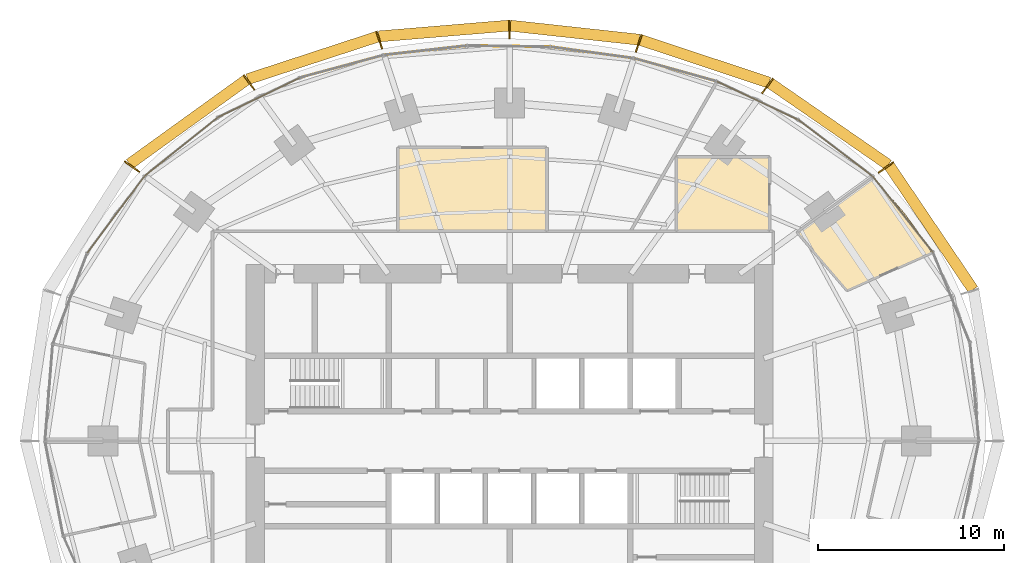
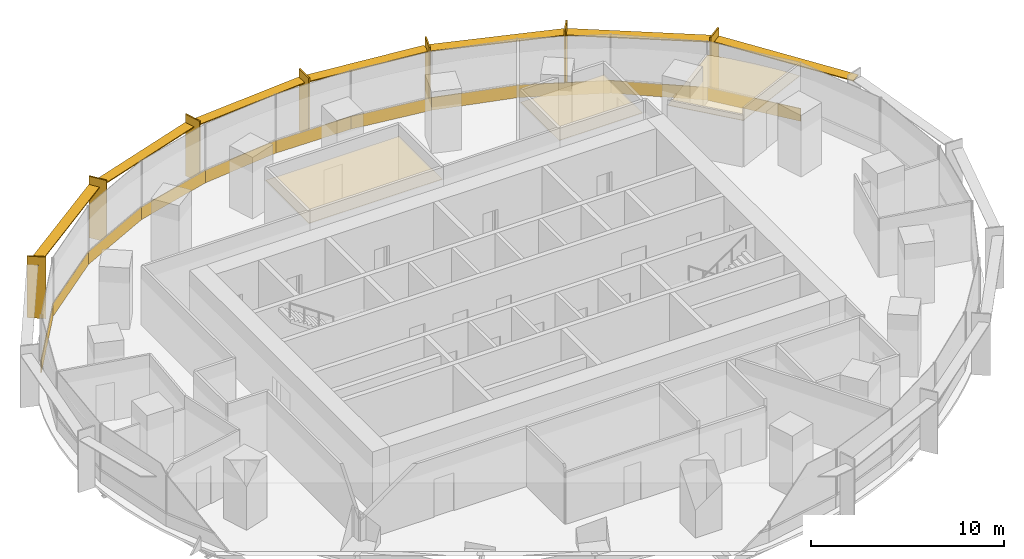
# One storey, part 14 of 14: 14 coverings, 14 shading devices.
"""IFC4 building model written with IfcOpenShell, lengths in metres."""

from ifc_helpers import new_model, si_unit, direction, frame, origin, origin_2d, place, context, subcontext, project, spatial, polyline, rectangle, outline, extrude, material, layer, layer_set, type_object, element, save


model = new_model("IFC4")

# Units and contexts
model_context = context("Model", 3, precision=1e-05, world=origin(), true_north=direction((0.0, 1.0)))
body_context = subcontext(model_context, "Body", "Model", "MODEL_VIEW")
ifc_project = project(units=[si_unit("LENGTHUNIT", "METRE"), si_unit("AREAUNIT", "SQUARE_METRE"), si_unit("VOLUMEUNIT", "CUBIC_METRE"), si_unit("PLANEANGLEUNIT", "RADIAN"), si_unit("MASSUNIT", "GRAM", prefix="KILO")], contexts=[model_context])

# Site, building, storey
site_placement = place(None, origin())
site = spatial("IfcSite", under=ifc_project, at=site_placement, CompositionType="ELEMENT")
building_placement = place(site_placement, origin())
building = spatial("IfcBuilding", under=site, at=building_placement, Name="Marramba Exchange Tower", CompositionType="ELEMENT")
storey_placement = place(building_placement, frame((0.0, 0.0, 150.89990234375)))
storey = spatial("IfcBuildingStorey", under=building, at=storey_placement, Name="L36", CompositionType="ELEMENT", Elevation=150.89990234375)

# Shading devices
ifc_material_1 = material(Name="Aluminium blade, timber-look bronze finish", Category="wood")
ifc_layer_1 = layer(ifc_material_1, 0.080078125)
ifc_layer_set_1 = layer_set([ifc_layer_1], Name="Floor-edge blade 1000x80")
shading_device_type_1 = type_object("IfcShadingDeviceType", Name="Floor-edge blade 1000x80", PredefinedType="USERDEFINED", material=ifc_layer_set_1)
for number, where, z_axis, x_axis, name in (
    (1, (20.27392578125, 14.72998046875, -0.159912109375), (0.0, 0.0, 1.0), (0.809016994375, 0.587785252292, 0.0), "Floor-edge blade FB1 L36 TC03"),
    (2, (13.8955078125, 19.12548828125, -0.159912109375), (0.0, 0.0, 1.0), (0.587785252292, 0.809016994375, 0.0), "Floor-edge blade FB1 L36 TC04"),
    (3, (6.958984375, 21.41748046875, -0.159912109375), (0.0, 0.0, 1.0), (0.309016994375, 0.951056516295, 0.0), "Floor-edge blade FB1 L36 TC05"),
    (4, (0.0, 22.173095703125, -0.159912109375), (0.0, 0.0, 1.0), (0.0, 1.0, 0.0), "Floor-edge blade FB1 L36 TC06"),
    (5, (-7.016845703125, 21.595703125, -0.159912109375), (0.0, 0.0, 1.0), (-0.309016994375, 0.951056516295, 0.0), "Floor-edge blade FB1 L36 TC07"),
    (6, (-14.029296875, 19.3095703125, -0.159912109375), (0.0, 0.0, 1.0), (-0.587785252292, 0.809016994375, 0.0), "Floor-edge blade FB1 L36 TC08"),
    (7, (-20.33642578125, 14.775390625, -0.159912109375), (0.0, 0.0, 1.0), (-0.809016994375, 0.587785252292, 0.0), "Floor-edge blade FB1 L36 TC09"),
):
    element("IfcShadingDevice", number, at=place(storey_placement, frame(where, z_axis=z_axis, x_axis=x_axis)), inside=storey, type_object=shading_device_type_1, Name=name, ObjectType="FIN", PredefinedType="USERDEFINED", context=body_context, shape_type="SweptSolid", body=[
        extrude(rectangle(XDim=1.0, YDim=0.080078125, at=origin_2d()), origin(), (0.0, 0.0, 1.0), 3.89990234375),
    ])
ifc_material_2 = material(Name="Aluminium sunshade, bronze anodised", Category="aluminium")
ifc_layer_2 = layer(ifc_material_2, 0.06005859375)
ifc_layer_set_2 = layer_set([ifc_layer_2], Name="SUNSHADE blade 600x60")
shading_device_type_2 = type_object("IfcShadingDeviceType", Name="SUNSHADE blade 600x60", PredefinedType="USERDEFINED", material=ifc_layer_set_2)
shading_device_1_placement = place(storey_placement, frame((22.712158203125, 11.4833984375, 3.16015625), z_axis=(0.0, 0.0, 1.0), x_axis=(-0.560441804861, 0.828193807852, 0.0)))
element("IfcShadingDevice", 8, at=shading_device_1_placement, inside=storey, type_object=shading_device_type_2, Name="Sunshade SS1 L36 bay 02", ObjectType="SUNSHADE", PredefinedType="USERDEFINED", context=body_context, shape_type="SweptSolid", body=[
    extrude(rectangle(XDim=8.0439453125, YDim=0.60009765625, at=origin_2d()), origin(), (0.0, 0.0, 1.0), 0.06005859375),
])
shading_device_2_placement = place(storey_placement, frame((17.224365234375, 17.0673828125, 3.16015625), z_axis=(0.0, 0.0, 1.0), x_axis=(-0.822589509071, 0.568635647464, 0.0)))
element("IfcShadingDevice", 9, at=shading_device_2_placement, inside=storey, type_object=shading_device_type_2, Name="Sunshade SS1 L36 bay 03", ObjectType="SUNSHADE", PredefinedType="USERDEFINED", context=body_context, shape_type="SweptSolid", body=[
    extrude(rectangle(XDim=7.72802734375, YDim=0.60009765625, at=origin_2d()), origin(), (0.0, 0.0, 1.0), 0.06005859375),
])
shading_device_3_placement = place(storey_placement, frame((10.516845703125, 20.447509765625, 3.16015625), z_axis=(0.0, 0.0, 1.0), x_axis=(-0.949101076178, 0.314971660944, 0.0)))
element("IfcShadingDevice", 10, at=shading_device_3_placement, inside=storey, type_object=shading_device_type_2, Name="Sunshade SS1 L36 bay 04", ObjectType="SUNSHADE", PredefinedType="USERDEFINED", context=body_context, shape_type="SweptSolid", body=[
    extrude(rectangle(XDim=7.287353515625, YDim=0.60009765625, at=origin_2d()), origin(), (0.0, 0.0, 1.0), 0.06005859375),
])
shading_device_4_placement = place(storey_placement, frame((3.510498046875, 21.990478515625, 3.16015625), z_axis=(0.0, 0.0, 1.0), x_axis=(-0.994111392801, 0.108362995081, 0.0)))
element("IfcShadingDevice", 11, at=shading_device_4_placement, inside=storey, type_object=shading_device_type_2, Name="Sunshade SS1 L36 bay 05", ObjectType="SUNSHADE", PredefinedType="USERDEFINED", context=body_context, shape_type="SweptSolid", body=[
    extrude(rectangle(XDim=6.982421875, YDim=0.60009765625, at=origin_2d()), origin(), (0.0, 0.0, 1.0), 0.06005859375),
])
shading_device_5_placement = place(storey_placement, frame((-3.539306640625, 22.07958984375, 3.16015625), z_axis=(0.0, 0.0, 1.0), x_axis=(-0.996577838412, -0.08265961521, 0.0)))
element("IfcShadingDevice", 12, at=shading_device_5_placement, inside=storey, type_object=shading_device_type_2, Name="Sunshade SS1 L36 bay 06", ObjectType="SUNSHADE", PredefinedType="USERDEFINED", context=body_context, shape_type="SweptSolid", body=[
    extrude(rectangle(XDim=7.02294921875, YDim=0.60009765625, at=origin_2d()), origin(), (0.0, 0.0, 1.0), 0.06005859375),
])
shading_device_6_placement = place(storey_placement, frame((-10.61279296875, 20.628662109375, 3.16015625), z_axis=(0.0, 0.0, 1.0), x_axis=(-0.950345637432, -0.311196351865, 0.0)))
element("IfcShadingDevice", 13, at=shading_device_6_placement, inside=storey, type_object=shading_device_type_2, Name="Sunshade SS1 L36 bay 07", ObjectType="SUNSHADE", PredefinedType="USERDEFINED", context=body_context, shape_type="SweptSolid", body=[
    extrude(rectangle(XDim=7.357421875, YDim=0.60009765625, at=origin_2d()), origin(), (0.0, 0.0, 1.0), 0.06005859375),
])
shading_device_7_placement = place(storey_placement, frame((-17.322509765625, 17.18212890625, 3.16015625), z_axis=(0.0, 0.0, 1.0), x_axis=(-0.811199164202, -0.584769968448, 0.0)))
element("IfcShadingDevice", 14, at=shading_device_7_placement, inside=storey, type_object=shading_device_type_2, Name="Sunshade SS1 L36 bay 08", ObjectType="SUNSHADE", PredefinedType="USERDEFINED", context=body_context, shape_type="SweptSolid", body=[
    extrude(rectangle(XDim=7.749755859375, YDim=0.60009765625, at=origin_2d()), origin(), (0.0, 0.0, 1.0), 0.06005859375),
])

# Coverings
ifc_material_3 = material(Name="Aluminium spandrel panel, bronze anodised, insulated", Category="aluminium")
ifc_layer_3 = layer(ifc_material_3, 0.050048828125)
ifc_layer_set_3 = layer_set([ifc_layer_3], Name="Spandrel panel 800")
covering_type_1 = type_object("IfcCoveringType", Name="Spandrel panel 800", PredefinedType="CLADDING", material=ifc_layer_set_3)
covering_1_placement = place(storey_placement, frame((21.20068359375, 12.194091796875, 0.0), z_axis=(0.0, 0.0, 1.0), x_axis=(-0.621311998758, 0.783563271344, 0.0)))
element("IfcCovering", 15, at=covering_1_placement, inside=storey, type_object=covering_type_1, Name="Spandrel panel SP1 L36 F03", PredefinedType="CLADDING", context=body_context, shape_type="SweptSolid", body=[
    extrude(rectangle(XDim=5.197021484375, YDim=0.050048828125, at=origin_2d()), origin(), (0.0, 0.0, 1.0), 0.800048828125),
])
covering_2_placement = place(storey_placement, frame((17.576171875, 15.759033203125, 0.0), z_axis=(0.0, 0.0, 1.0), x_axis=(-0.795971745176, 0.605333776426, 0.0)))
element("IfcCovering", 16, at=covering_2_placement, inside=storey, type_object=covering_type_1, Name="Spandrel panel SP1 L36 F04", PredefinedType="CLADDING", context=body_context, shape_type="SweptSolid", body=[
    extrude(rectangle(XDim=5.05078125, YDim=0.050048828125, at=origin_2d()), origin(), (0.0, 0.0, 1.0), 0.800048828125),
])
covering_3_placement = place(storey_placement, frame((13.371337890625, 18.322998046875, 0.0), z_axis=(0.0, 0.0, 1.0), x_axis=(-0.904403135206, 0.426678999987, 0.0)))
element("IfcCovering", 17, at=covering_3_placement, inside=storey, type_object=covering_type_1, Name="Spandrel panel SP1 L36 F05", PredefinedType="CLADDING", context=body_context, shape_type="SweptSolid", body=[
    extrude(rectangle(XDim=4.853271484375, YDim=0.050048828125, at=origin_2d()), origin(), (0.0, 0.0, 1.0), 0.800048828125),
])
covering_4_placement = place(storey_placement, frame((8.9365234375, 19.98388671875, 0.0), z_axis=(0.0, 0.0, 1.0), x_axis=(-0.963177847397, 0.268865085655, 0.0)))
element("IfcCovering", 18, at=covering_4_placement, inside=storey, type_object=covering_type_1, Name="Spandrel panel SP1 L36 F06", PredefinedType="CLADDING", context=body_context, shape_type="SweptSolid", body=[
    extrude(rectangle(XDim=4.651611328125, YDim=0.050048828125, at=origin_2d()), origin(), (0.0, 0.0, 1.0), 0.800048828125),
])
covering_5_placement = place(storey_placement, frame((4.46337890625, 20.915283203125, 0.0), z_axis=(0.0, 0.0, 1.0), x_axis=(-0.990738214019, 0.135785828725, 0.0)))
element("IfcCovering", 19, at=covering_5_placement, inside=storey, type_object=covering_type_1, Name="Spandrel panel SP1 L36 F07", PredefinedType="CLADDING", context=body_context, shape_type="SweptSolid", body=[
    extrude(rectangle(XDim=4.507568359375, YDim=0.050048828125, at=origin_2d()), origin(), (0.0, 0.0, 1.0), 0.800048828125),
])
covering_6_placement = place(storey_placement, frame((-0.003662109375, 21.25634765625, 0.0), z_axis=(0.0, 0.0, 1.0), x_axis=(-0.999875870008, 0.015755779107, 0.0)))
element("IfcCovering", 20, at=covering_6_placement, inside=storey, type_object=covering_type_1, Name="Spandrel panel SP1 L36 F08", PredefinedType="CLADDING", context=body_context, shape_type="SweptSolid", body=[
    extrude(rectangle(XDim=4.46875, YDim=0.050048828125, at=origin_2d()), origin(), (0.0, 0.0, 1.0), 0.800048828125),
])
covering_7_placement = place(storey_placement, frame((-4.49609375, 21.03955078125, 0.0), z_axis=(0.0, 0.0, 1.0), x_axis=(-0.993823395975, -0.110973229261, 0.0)))
element("IfcCovering", 21, at=covering_7_placement, inside=storey, type_object=covering_type_1, Name="Spandrel panel SP1 L36 F09", PredefinedType="CLADDING", context=body_context, shape_type="SweptSolid", body=[
    extrude(rectangle(XDim=4.54443359375, YDim=0.050048828125, at=origin_2d()), origin(), (0.0, 0.0, 1.0), 0.800048828125),
])
covering_8_placement = place(storey_placement, frame((-9.0244140625, 20.17529296875, 0.0), z_axis=(0.0, 0.0, 1.0), x_axis=(-0.965522049344, -0.26032128655, 0.0)))
element("IfcCovering", 22, at=covering_8_placement, inside=storey, type_object=covering_type_1, Name="Spandrel panel SP1 L36 F10", PredefinedType="CLADDING", context=body_context, shape_type="SweptSolid", body=[
    extrude(rectangle(XDim=4.70263671875, YDim=0.050048828125, at=origin_2d()), origin(), (0.0, 0.0, 1.0), 0.800048828125),
])
covering_9_placement = place(storey_placement, frame((-13.49609375, 18.498291015625, 0.0), z_axis=(0.0, 0.0, 1.0), x_axis=(-0.900223736484, -0.435427633794, 0.0)))
element("IfcCovering", 23, at=covering_9_placement, inside=storey, type_object=covering_type_1, Name="Spandrel panel SP1 L36 F11", PredefinedType="CLADDING", context=body_context, shape_type="SweptSolid", body=[
    extrude(rectangle(XDim=4.890625, YDim=0.050048828125, at=origin_2d()), origin(), (0.0, 0.0, 1.0), 0.800048828125),
])
covering_10_placement = place(storey_placement, frame((-17.673095703125, 15.854736328125, 0.0), z_axis=(0.0, 0.0, 1.0), x_axis=(-0.781178328369, -0.624307952285, 0.0)))
element("IfcCovering", 24, at=covering_10_placement, inside=storey, type_object=covering_type_1, Name="Spandrel panel SP1 L36 F12", PredefinedType="CLADDING", context=body_context, shape_type="SweptSolid", body=[
    extrude(rectangle(XDim=5.058349609375, YDim=0.050048828125, at=origin_2d()), origin(), (0.0, 0.0, 1.0), 0.800048828125),
])
covering_11_placement = place(storey_placement, frame((-21.19580078125, 12.20068359375, 0.0), z_axis=(0.0, 0.0, 1.0), x_axis=(-0.597703998161, -0.801716864349, 0.0)))
element("IfcCovering", 25, at=covering_11_placement, inside=storey, type_object=covering_type_1, Name="Spandrel panel SP1 L36 F13", PredefinedType="CLADDING", context=body_context, shape_type="SweptSolid", body=[
    extrude(rectangle(XDim=5.17626953125, YDim=0.050048828125, at=origin_2d()), origin(), (0.0, 0.0, 1.0), 0.800048828125),
])
ifc_material_4 = material(Name="Mineral fibre ceiling tiles", Category="gypsum")
ifc_layer_4 = layer(ifc_material_4, 0.02001953125)
ifc_layer_set_4 = layer_set([ifc_layer_4], Name="Suspended ceiling 20")
covering_type_2 = type_object("IfcCoveringType", Name="Suspended ceiling 20", PredefinedType="CEILING", material=ifc_layer_set_4)
covering_12_placement = place(storey_placement, frame((0.0, 0.0, 2.900146484375)))
element("IfcCovering", 26, at=covering_12_placement, inside=storey, type_object=covering_type_2, Name="Ceiling CL1 L36 Office 1", PredefinedType="CEILING", context=body_context, shape_type="SweptSolid", body=[
    extrude(outline(polyline([(19.950927734375, 13.74169921875), (20.4189453125, 13.26025390625), (21.089599609375, 12.4736328125), (21.259765625, 12.2744140625), (22.03662109375, 11.228271484375), (22.7421875, 10.12548828125), (18.174560546875, 8.091796875), (15.4765625, 11.244384765625), (19.521484375, 14.18310546875), (19.950927734375, 13.74169921875)])), origin(), (0.0, 0.0, 1.0), 0.02001953125),
])
covering_13_placement = place(storey_placement, frame((0.0, 0.0, 2.900146484375)))
element("IfcCovering", 27, at=covering_13_placement, inside=storey, type_object=covering_type_2, Name="Ceiling CL1 L36 Meeting Room 1", PredefinedType="CEILING", context=body_context, shape_type="SweptSolid", body=[
    extrude(outline(polyline([(14.0, 11.300048828125), (9.0, 11.300048828125), (9.0, 15.300048828125), (14.0, 15.300048828125), (14.0, 11.300048828125)])), origin(), (0.0, 0.0, 1.0), 0.02001953125),
])
covering_14_placement = place(storey_placement, frame((0.0, 0.0, 2.900146484375)))
element("IfcCovering", 28, at=covering_14_placement, inside=storey, type_object=covering_type_2, Name="Ceiling CL1 L36 Meeting Room 3", PredefinedType="CEILING", context=body_context, shape_type="SweptSolid", body=[
    extrude(outline(polyline([(2.0, 11.300048828125), (-6.0, 11.300048828125), (-6.0, 15.800048828125), (2.0, 15.800048828125), (2.0, 11.300048828125)])), origin(), (0.0, 0.0, 1.0), 0.02001953125),
])

save(model, "model.ifc")
